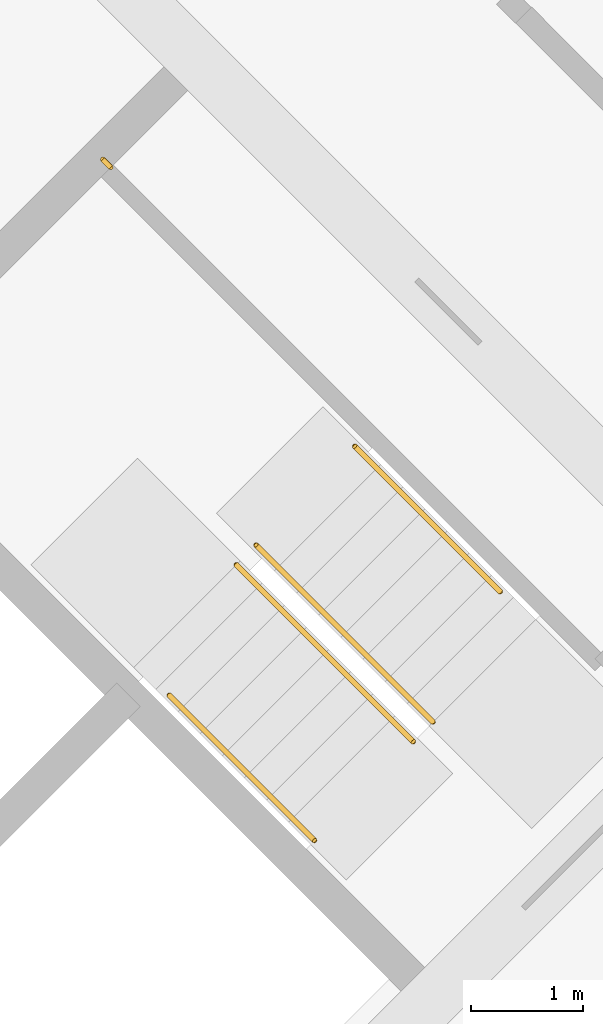
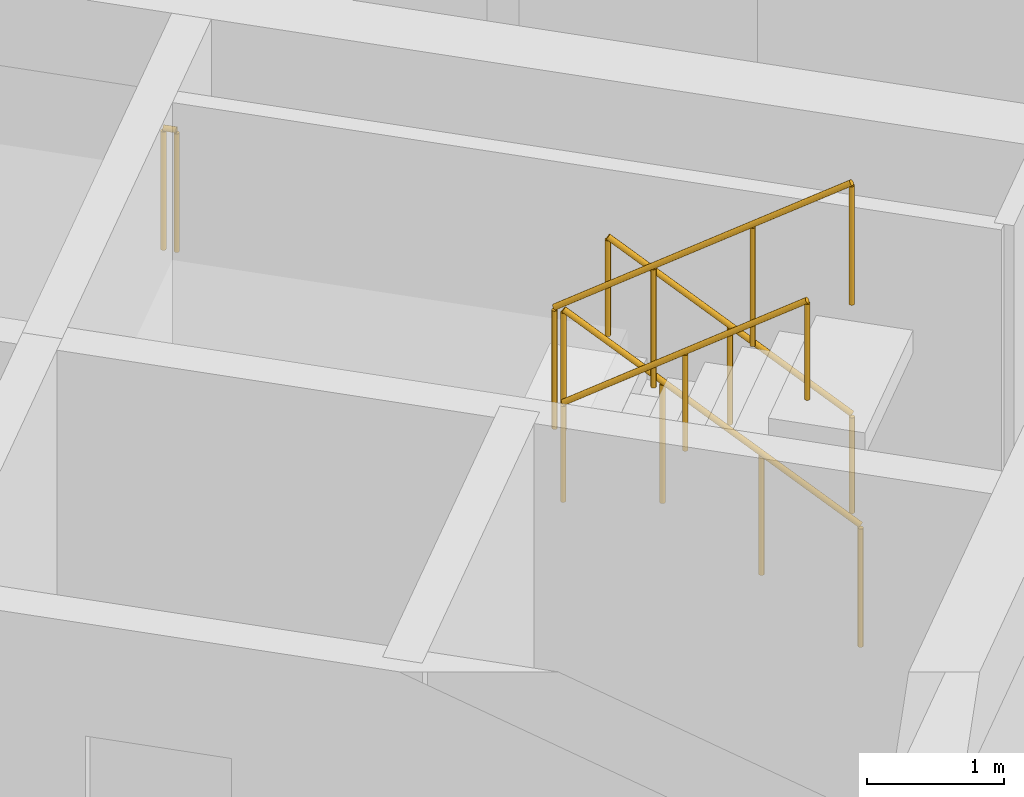
# One storey, part 13 of 13: 5 railings.
"""IFC4 building model written with IfcOpenShell, lengths in metres."""

from ifc_helpers import new_model, si_unit, direction, frame, origin, origin_2d, place, context, subcontext, project, spatial, circle, extrude, material, type_object, element, save


model = new_model("IFC4")

# Units and contexts
model_context = context("Model", 3, precision=1e-05, world=origin(), true_north=direction((0.0, 1.0)))
body_context = subcontext(model_context, "Body", "Model", "MODEL_VIEW")
ifc_project = project(units=[si_unit("LENGTHUNIT", "METRE"), si_unit("AREAUNIT", "SQUARE_METRE"), si_unit("VOLUMEUNIT", "CUBIC_METRE"), si_unit("PLANEANGLEUNIT", "RADIAN"), si_unit("MASSUNIT", "GRAM", prefix="KILO")], contexts=[model_context])

# Site, building, storey
site_placement = place(None, origin())
site = spatial("IfcSite", under=ifc_project, at=site_placement, CompositionType="ELEMENT")
building_placement = place(site_placement, origin())
building = spatial("IfcBuilding", under=site, at=building_placement, Name="Windrow Commons", CompositionType="ELEMENT")
storey_placement = place(building_placement, frame((0.0, 0.0, 216.8)))
storey = spatial("IfcBuildingStorey", under=building, at=storey_placement, Name="L59", CompositionType="ELEMENT", Elevation=216.8)

# Railings
ifc_material_1 = material(Name="Steel S355", Category="steel")
railing_type_1 = type_object("IfcRailingType", Name="Core stair guard 1100", PredefinedType="GUARDRAIL", material=ifc_material_1)
railing_1_placement = place(storey_placement, frame((94.2296, 48.4215, 0.1889)))
element("IfcRailing", 1, at=railing_1_placement, inside=storey, type_object=railing_type_1, Name="L59 ST-B2 stair guard 1", PredefinedType="GUARDRAIL", context=body_context, shape_type="SweptSolid", body=[
    extrude(circle(Radius=0.024, at=origin_2d()), frame((0.0, 0.0, 1.076), z_axis=(-0.5862157828, 0.5861787742, 0.5592365337), x_axis=(-0.7070844598, -0.7071291018, 0.0)), (0.0, 0.0, 1.0), 2.7021),
    extrude(circle(Radius=0.021, at=origin_2d()), origin(), (0.0, 0.0, 1.0), 1.052),
    extrude(circle(Radius=0.021, at=origin_2d()), frame((-0.528, 0.528, 0.5037)), (0.0, 0.0, 1.0), 1.052),
    extrude(circle(Radius=0.021, at=origin_2d()), frame((-1.056, 1.0559, 1.0074)), (0.0, 0.0, 1.0), 1.052),
    extrude(circle(Radius=0.021, at=origin_2d()), frame((-1.584, 1.5839, 1.5111)), (0.0, 0.0, 1.0), 1.052),
])
railing_2_placement = place(storey_placement, frame((92.4689, 49.8287, 1.8889)))
element("IfcRailing", 2, at=railing_2_placement, inside=storey, type_object=railing_type_1, Name="L59 ST-B2 stair guard 2", PredefinedType="GUARDRAIL", context=body_context, shape_type="SweptSolid", body=[
    extrude(circle(Radius=0.024, at=origin_2d()), frame((0.0, 0.0, 1.076), z_axis=(0.5861787742, -0.5862157828, 0.5592365337), x_axis=(0.7071291018, 0.7070844598, 0.0)), (0.0, 0.0, 1.0), 2.7021),
    extrude(circle(Radius=0.021, at=origin_2d()), origin(), (0.0, 0.0, 1.0), 1.052),
    extrude(circle(Radius=0.021, at=origin_2d()), frame((0.528, -0.528, 0.5037)), (0.0, 0.0, 1.0), 1.052),
    extrude(circle(Radius=0.021, at=origin_2d()), frame((1.0559, -1.056, 1.0074)), (0.0, 0.0, 1.0), 1.052),
    extrude(circle(Radius=0.021, at=origin_2d()), frame((1.5839, -1.584, 1.5111)), (0.0, 0.0, 1.0), 1.052),
])
railing_3_placement = place(storey_placement, frame((91.3446, 53.3854, 1.7)))
element("IfcRailing", 3, at=railing_3_placement, inside=storey, type_object=railing_type_1, Name="L59 ST-B2 stair guard 3", PredefinedType="GUARDRAIL", context=body_context, shape_type="SweptSolid", body=[
    extrude(circle(Radius=0.024, at=origin_2d()), frame((0.0, 0.0, 1.076), z_axis=(-0.7076063266, 0.7066068826, 0.0), x_axis=(-0.7066068826, -0.7076063266, 0.0)), (0.0, 0.0, 1.0), 0.1001),
    extrude(circle(Radius=0.021, at=origin_2d()), origin(), (0.0, 0.0, 1.0), 1.052),
    extrude(circle(Radius=0.021, at=origin_2d()), frame((-0.0708, 0.0707, 0.0)), (0.0, 0.0, 1.0), 1.052),
])
ifc_material_2 = material(Name="Steel S355", Category="steel")
railing_type_2 = type_object("IfcRailingType", Name="Core stair handrail 900", PredefinedType="HANDRAIL", material=ifc_material_2)
railing_4_placement = place(storey_placement, frame((94.8306, 49.5883, 0.4587)))
element("IfcRailing", 4, at=railing_4_placement, inside=storey, type_object=railing_type_2, Name="L59 ST-B2 stair handrail 1", PredefinedType="HANDRAIL", context=body_context, shape_type="SweptSolid", body=[
    extrude(circle(Radius=0.024, at=origin_2d()), frame((0.0, 0.0, 0.876), z_axis=(-0.586206706, 0.5861616513, 0.5592639952), x_axis=(-0.7070796062, -0.7071339551, 0.0)), (0.0, 0.0, 1.0), 2.2195),
    extrude(circle(Radius=0.021, at=origin_2d()), origin(), (0.0, 0.0, 1.0), 0.852),
    extrude(circle(Radius=0.021, at=origin_2d()), frame((-0.6506, 0.6505, 0.6206)), (0.0, 0.0, 1.0), 0.852),
    extrude(circle(Radius=0.021, at=origin_2d()), frame((-1.3011, 1.301, 1.2413)), (0.0, 0.0, 1.0), 0.852),
])
railing_5_placement = place(storey_placement, frame((91.8678, 48.6619, 2.1587)))
element("IfcRailing", 5, at=railing_5_placement, inside=storey, type_object=railing_type_2, Name="L59 ST-B2 stair handrail 2", PredefinedType="HANDRAIL", context=body_context, shape_type="SweptSolid", body=[
    extrude(circle(Radius=0.024, at=origin_2d()), frame((0.0, 0.0, 0.876), z_axis=(0.586206706, -0.5861616513, 0.5592639952), x_axis=(0.7070796062, 0.7071339551, 0.0)), (0.0, 0.0, 1.0), 2.2195),
    extrude(circle(Radius=0.021, at=origin_2d()), origin(), (0.0, 0.0, 1.0), 0.852),
    extrude(circle(Radius=0.021, at=origin_2d()), frame((0.6505, -0.6505, 0.6206)), (0.0, 0.0, 1.0), 0.852),
    extrude(circle(Radius=0.021, at=origin_2d()), frame((1.3011, -1.301, 1.2413)), (0.0, 0.0, 1.0), 0.852),
])

save(model, "model.ifc")
